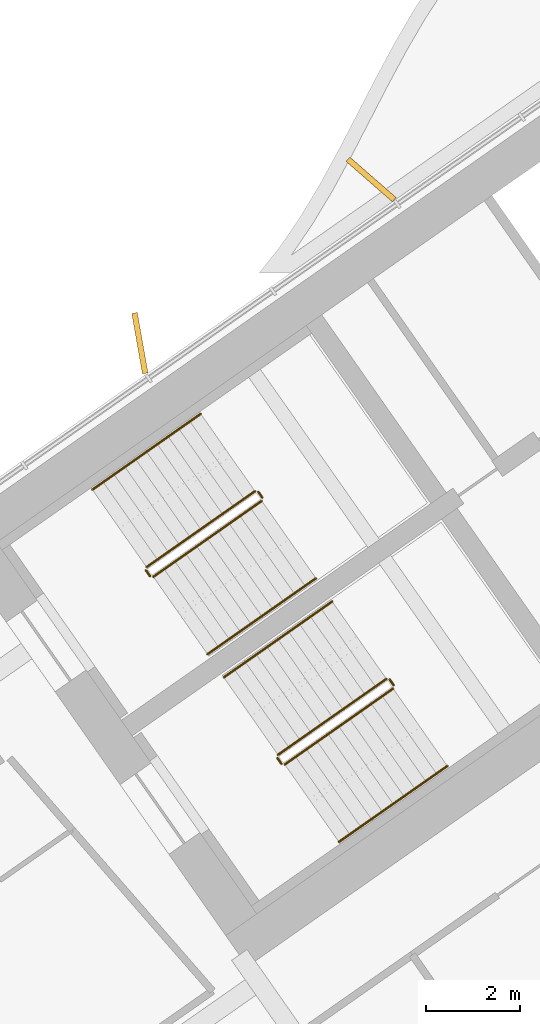
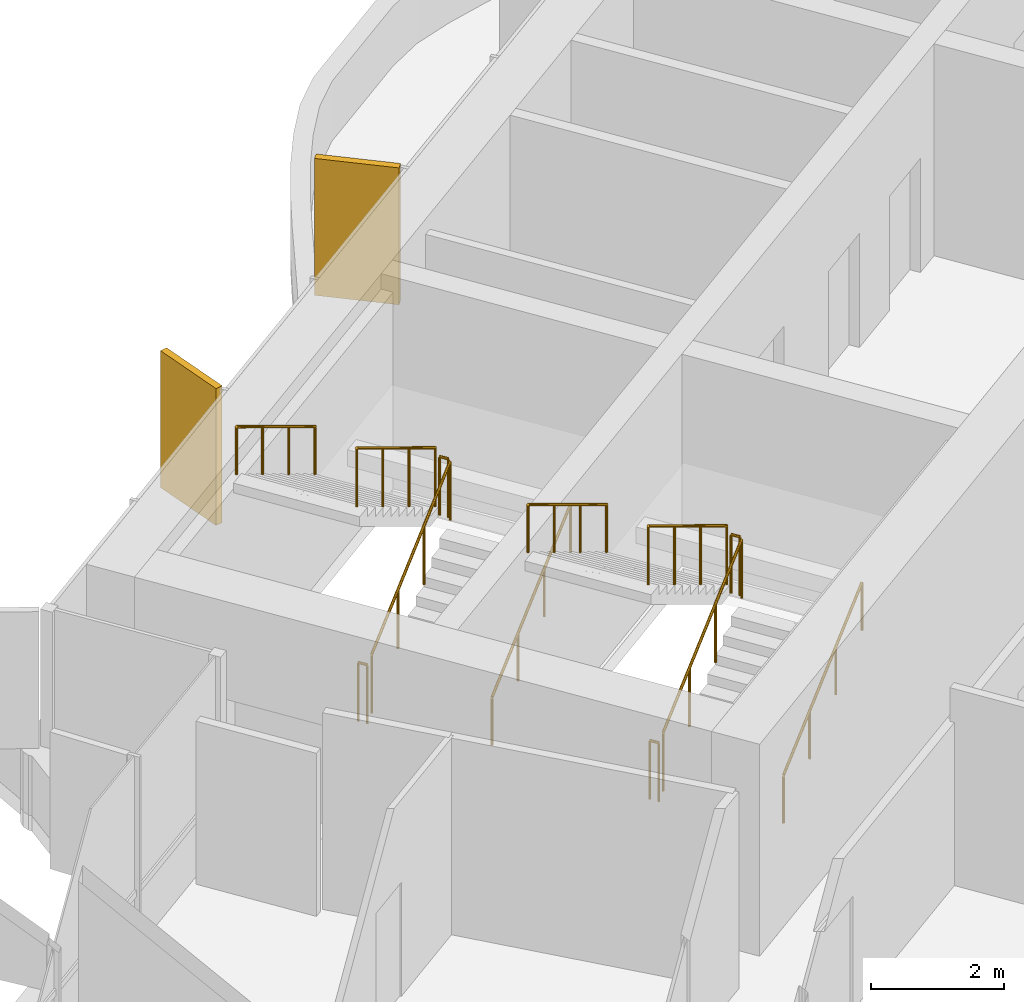
# One storey, part 18 of 21: 12 railings, 2 shading devices.
"""IFC4 building model written with IfcOpenShell, lengths in metres."""

from ifc_helpers import new_model, si_unit, direction, frame, origin, origin_2d, place, context, subcontext, project, spatial, rectangle, circle, extrude, material, layer, layer_set, type_object, element, save


model = new_model("IFC4")

# Units and contexts
model_context = context("Model", 3, precision=1e-05, world=origin(), true_north=direction((0.0, 1.0)))
body_context = subcontext(model_context, "Body", "Model", "MODEL_VIEW")
ifc_project = project(units=[si_unit("LENGTHUNIT", "METRE"), si_unit("AREAUNIT", "SQUARE_METRE"), si_unit("VOLUMEUNIT", "CUBIC_METRE"), si_unit("PLANEANGLEUNIT", "RADIAN"), si_unit("MASSUNIT", "GRAM", prefix="KILO")], contexts=[model_context])

# Site, building, storey
site_placement = place(None, origin())
site = spatial("IfcSite", under=ifc_project, at=site_placement, CompositionType="ELEMENT")
building_placement = place(site_placement, origin())
building = spatial("IfcBuilding", under=site, at=building_placement, Name="Tel Ilan Convention Tower", CompositionType="ELEMENT")
storey_placement = place(building_placement, frame((0.0, 0.0, 206.10009765625)))
storey = spatial("IfcBuildingStorey", under=building, at=storey_placement, Name="L48", CompositionType="ELEMENT", Elevation=206.10009765625)

# Shading devices
ifc_material_1 = material(Name="Aluminium, bronze anodised", Category="aluminium")
ifc_layer = layer(ifc_material_1, 0.1201171875)
ifc_layer_set = layer_set([ifc_layer], Name="FIN BRONZE 1300x120")
shading_device_type = type_object("IfcShadingDeviceType", Name="FIN BRONZE 1300x120", PredefinedType="USERDEFINED", material=ifc_layer_set)
for number, where, z_axis, x_axis, name in (
    (1, (-18.926025390625, 0.353271484375, 1.099853515625), (0.0, 0.0, 1.0), (-0.753435896329, 0.657521368568, 0.0), "FIN"),
    (2, (-23.82080078125, -3.11181640625, 1.099853515625), (0.0, 0.0, 1.0), (-0.173648177667, 0.984807753012, 0.0), "FIN"),
):
    element("IfcShadingDevice", number, at=place(storey_placement, frame(where, z_axis=z_axis, x_axis=x_axis)), inside=storey, type_object=shading_device_type, Name=name, ObjectType="FIN", PredefinedType="USERDEFINED", context=body_context, shape_type="SweptSolid", body=[
        extrude(rectangle(XDim=1.300048828125, YDim=0.1201171875, at=origin_2d()), origin(), (0.0, 0.0, 1.0), 2.52001953125),
    ])

# Railings
ifc_material_2 = material(Name="Stainless Steel Grade 316", Category="steel")
railing_type_1 = type_object("IfcRailingType", Name="Stainless Steel Stair Guard 1100 mm", PredefinedType="GUARDRAIL", material=ifc_material_2)
railing_1_placement = place(storey_placement, frame((-23.535400390625, -8.056396484375, 0.17724609375)))
element("IfcRailing", 3, at=railing_1_placement, inside=storey, type_object=railing_type_1, Name="L48 S1 stair guard 1", PredefinedType="GUARDRAIL", context=body_context, shape_type="SweptSolid", body=[
    extrude(circle(Radius=0.02392578125, at=origin_2d()), frame((0.0, 0.0, 1.076171875), z_axis=(0.692098378994, 0.484653031975, 0.534893701956), x_axis=(-0.573608623498, 0.819129505664, 0.0)), (0.0, 0.0, 1.0), 3.314208984375),
    extrude(circle(Radius=0.02099609375, at=origin_2d()), origin(), (0.0, 0.0, 1.0), 1.052001953125),
    extrude(circle(Radius=0.02099609375, at=origin_2d()), frame((0.7646484375, 0.535400390625, 0.5908203125)), (0.0, 0.0, 1.0), 1.052001953125),
    extrude(circle(Radius=0.02099609375, at=origin_2d()), frame((1.529052734375, 1.07080078125, 1.181884765625)), (0.0, 0.0, 1.0), 1.052001953125),
    extrude(circle(Radius=0.02099609375, at=origin_2d()), frame((2.293701171875, 1.606201171875, 1.772705078125)), (0.0, 0.0, 1.0), 1.052001953125),
])
railing_2_placement = place(storey_placement, frame((-21.2294921875, -6.380615234375, 1.949951171875)))
element("IfcRailing", 4, at=railing_2_placement, inside=storey, type_object=railing_type_1, Name="L48 S1 stair guard 2", PredefinedType="GUARDRAIL", context=body_context, shape_type="SweptSolid", body=[
    extrude(circle(Radius=0.02392578125, at=origin_2d()), frame((0.0, 0.0, 1.076171875), z_axis=(-0.573353020881, 0.819308436089, 0.0), x_axis=(-0.819308436089, -0.573353020881, 0.0)), (0.0, 0.0, 1.0), 0.14990234375),
    extrude(circle(Radius=0.02099609375, at=origin_2d()), origin(), (0.0, 0.0, 1.0), 1.052001953125),
    extrude(circle(Radius=0.02099609375, at=origin_2d()), frame((-0.0859375, 0.122802734375, 0.0)), (0.0, 0.0, 1.0), 1.052001953125),
])
railing_3_placement = place(storey_placement, frame((-21.38525390625, -6.24560546875, 2.127197265625)))
element("IfcRailing", 5, at=railing_3_placement, inside=storey, type_object=railing_type_1, Name="L48 S1 stair guard 3", PredefinedType="GUARDRAIL", context=body_context, shape_type="SweptSolid", body=[
    extrude(circle(Radius=0.02392578125, at=origin_2d()), frame((0.0, 0.0, 1.076171875), z_axis=(-0.692084706163, -0.484621375041, 0.534940073605), x_axis=(0.573591086599, -0.819141785879, 0.0)), (0.0, 0.0, 1.0), 3.313720703125),
    extrude(circle(Radius=0.02099609375, at=origin_2d()), origin(), (0.0, 0.0, 1.0), 1.052001953125),
    extrude(circle(Radius=0.02099609375, at=origin_2d()), frame((-0.764404296875, -0.535400390625, 0.5908203125)), (0.0, 0.0, 1.0), 1.052001953125),
    extrude(circle(Radius=0.02099609375, at=origin_2d()), frame((-1.529052734375, -1.070556640625, 1.181884765625)), (0.0, 0.0, 1.0), 1.052001953125),
    extrude(circle(Radius=0.02099609375, at=origin_2d()), frame((-2.29345703125, -1.60595703125, 1.772705078125)), (0.0, 0.0, 1.0), 1.052001953125),
])
railing_4_placement = place(storey_placement, frame((-23.60498046875, -8.0439453125, 0.0)))
element("IfcRailing", 6, at=railing_4_placement, inside=storey, type_object=railing_type_1, Name="L48 S1 stair guard 4", PredefinedType="GUARDRAIL", context=body_context, shape_type="SweptSolid", body=[
    extrude(circle(Radius=0.02392578125, at=origin_2d()), frame((0.0, 0.0, 1.076171875), z_axis=(-0.574444878118, 0.818543268254, 0.0), x_axis=(-0.818543268254, -0.574444878118, 0.0)), (0.0, 0.0, 1.0), 0.150146484375),
    extrude(circle(Radius=0.02099609375, at=origin_2d()), origin(), (0.0, 0.0, 1.0), 1.052001953125),
    extrude(circle(Radius=0.02099609375, at=origin_2d()), frame((-0.086181640625, 0.122802734375, 0.0)), (0.0, 0.0, 1.0), 1.052001953125),
])
railing_5_placement = place(storey_placement, frame((-20.753662109375, -12.029296875, 0.17724609375)))
element("IfcRailing", 7, at=railing_5_placement, inside=storey, type_object=railing_type_1, Name="L48 S2 stair guard 1", PredefinedType="GUARDRAIL", context=body_context, shape_type="SweptSolid", body=[
    extrude(circle(Radius=0.02392578125, at=origin_2d()), frame((0.0, 0.0, 1.076171875), z_axis=(0.692098378994, 0.484653031975, 0.534893701956), x_axis=(-0.573608623498, 0.819129505664, 0.0)), (0.0, 0.0, 1.0), 3.314208984375),
    extrude(circle(Radius=0.02099609375, at=origin_2d()), origin(), (0.0, 0.0, 1.0), 1.052001953125),
    extrude(circle(Radius=0.02099609375, at=origin_2d()), frame((0.7646484375, 0.535400390625, 0.5908203125)), (0.0, 0.0, 1.0), 1.052001953125),
    extrude(circle(Radius=0.02099609375, at=origin_2d()), frame((1.529052734375, 1.07080078125, 1.181884765625)), (0.0, 0.0, 1.0), 1.052001953125),
    extrude(circle(Radius=0.02099609375, at=origin_2d()), frame((2.293701171875, 1.606201171875, 1.772705078125)), (0.0, 0.0, 1.0), 1.052001953125),
])
railing_6_placement = place(storey_placement, frame((-18.44775390625, -10.353515625, 1.949951171875)))
element("IfcRailing", 8, at=railing_6_placement, inside=storey, type_object=railing_type_1, Name="L48 S2 stair guard 2", PredefinedType="GUARDRAIL", context=body_context, shape_type="SweptSolid", body=[
    extrude(circle(Radius=0.02392578125, at=origin_2d()), frame((0.0, 0.0, 1.076171875), z_axis=(-0.573353020881, 0.819308436089, 0.0), x_axis=(-0.819308436089, -0.573353020881, 0.0)), (0.0, 0.0, 1.0), 0.14990234375),
    extrude(circle(Radius=0.02099609375, at=origin_2d()), origin(), (0.0, 0.0, 1.0), 1.052001953125),
    extrude(circle(Radius=0.02099609375, at=origin_2d()), frame((-0.0859375, 0.122802734375, 0.0)), (0.0, 0.0, 1.0), 1.052001953125),
])
railing_7_placement = place(storey_placement, frame((-18.603271484375, -10.218505859375, 2.127197265625)))
element("IfcRailing", 9, at=railing_7_placement, inside=storey, type_object=railing_type_1, Name="L48 S2 stair guard 3", PredefinedType="GUARDRAIL", context=body_context, shape_type="SweptSolid", body=[
    extrude(circle(Radius=0.02392578125, at=origin_2d()), frame((0.0, 0.0, 1.076171875), z_axis=(-0.692123088272, -0.484596665743, 0.534912798717), x_axis=(0.573550118428, -0.819170471667, 0.0)), (0.0, 0.0, 1.0), 3.31396484375),
    extrude(circle(Radius=0.02099609375, at=origin_2d()), origin(), (0.0, 0.0, 1.0), 1.052001953125),
    extrude(circle(Radius=0.02099609375, at=origin_2d()), frame((-0.7646484375, -0.535400390625, 0.5908203125)), (0.0, 0.0, 1.0), 1.052001953125),
    extrude(circle(Radius=0.02099609375, at=origin_2d()), frame((-1.529052734375, -1.070556640625, 1.181884765625)), (0.0, 0.0, 1.0), 1.052001953125),
    extrude(circle(Radius=0.02099609375, at=origin_2d()), frame((-2.293701171875, -1.60595703125, 1.772705078125)), (0.0, 0.0, 1.0), 1.052001953125),
])
railing_8_placement = place(storey_placement, frame((-20.8232421875, -12.016845703125, 0.0)))
element("IfcRailing", 10, at=railing_8_placement, inside=storey, type_object=railing_type_1, Name="L48 S2 stair guard 4", PredefinedType="GUARDRAIL", context=body_context, shape_type="SweptSolid", body=[
    extrude(circle(Radius=0.02392578125, at=origin_2d()), frame((0.0, 0.0, 1.076171875), z_axis=(-0.573353020881, 0.819308436089, 0.0), x_axis=(-0.819308436089, -0.573353020881, 0.0)), (0.0, 0.0, 1.0), 0.14990234375),
    extrude(circle(Radius=0.02099609375, at=origin_2d()), origin(), (0.0, 0.0, 1.0), 1.052001953125),
    extrude(circle(Radius=0.02099609375, at=origin_2d()), frame((-0.0859375, 0.122802734375, 0.0)), (0.0, 0.0, 1.0), 1.052001953125),
])
ifc_material_3 = material(Name="Stainless Steel Grade 316", Category="steel")
railing_type_2 = type_object("IfcRailingType", Name="Stainless Steel Stair Handrail 900 mm", PredefinedType="HANDRAIL", material=ifc_material_3)
railing_9_placement = place(storey_placement, frame((-22.38818359375, -9.694580078125, 0.17724609375)))
element("IfcRailing", 11, at=railing_9_placement, inside=storey, type_object=railing_type_2, Name="L48 S1 stair handrail 1", PredefinedType="HANDRAIL", context=body_context, shape_type="SweptSolid", body=[
    extrude(circle(Radius=0.02392578125, at=origin_2d()), frame((0.0, 0.0, 0.8759765625), z_axis=(0.692084706163, 0.484621375041, 0.534940073605), x_axis=(-0.573591086599, 0.819141785879, 0.0)), (0.0, 0.0, 1.0), 3.313720703125),
    extrude(circle(Radius=0.02099609375, at=origin_2d()), origin(), (0.0, 0.0, 1.0), 0.851806640625),
    extrude(circle(Radius=0.02099609375, at=origin_2d()), frame((0.764404296875, 0.535400390625, 0.5908203125)), (0.0, 0.0, 1.0), 0.851806640625),
    extrude(circle(Radius=0.02099609375, at=origin_2d()), frame((1.529052734375, 1.070556640625, 1.181884765625)), (0.0, 0.0, 1.0), 0.851806640625),
    extrude(circle(Radius=0.02099609375, at=origin_2d()), frame((2.29345703125, 1.60595703125, 1.772705078125)), (0.0, 0.0, 1.0), 0.851806640625),
])
railing_10_placement = place(storey_placement, frame((-22.5322265625, -4.607177734375, 2.127197265625)))
element("IfcRailing", 12, at=railing_10_placement, inside=storey, type_object=railing_type_2, Name="L48 S1 stair handrail 2", PredefinedType="HANDRAIL", context=body_context, shape_type="SweptSolid", body=[
    extrude(circle(Radius=0.02392578125, at=origin_2d()), frame((0.0, 0.0, 0.8759765625), z_axis=(-0.692123088272, -0.484596665743, 0.534912798717), x_axis=(0.573550118428, -0.819170471667, 0.0)), (0.0, 0.0, 1.0), 3.31396484375),
    extrude(circle(Radius=0.02099609375, at=origin_2d()), origin(), (0.0, 0.0, 1.0), 0.851806640625),
    extrude(circle(Radius=0.02099609375, at=origin_2d()), frame((-0.7646484375, -0.535400390625, 0.5908203125)), (0.0, 0.0, 1.0), 0.851806640625),
    extrude(circle(Radius=0.02099609375, at=origin_2d()), frame((-1.529052734375, -1.070556640625, 1.181884765625)), (0.0, 0.0, 1.0), 0.851806640625),
    extrude(circle(Radius=0.02099609375, at=origin_2d()), frame((-2.293701171875, -1.60595703125, 1.772705078125)), (0.0, 0.0, 1.0), 0.851806640625),
])
railing_11_placement = place(storey_placement, frame((-19.6064453125, -13.66748046875, 0.17724609375)))
element("IfcRailing", 13, at=railing_11_placement, inside=storey, type_object=railing_type_2, Name="L48 S2 stair handrail 1", PredefinedType="HANDRAIL", context=body_context, shape_type="SweptSolid", body=[
    extrude(circle(Radius=0.02392578125, at=origin_2d()), frame((0.0, 0.0, 0.8759765625), z_axis=(0.692123088272, 0.484596665743, 0.534912798717), x_axis=(-0.573550118428, 0.819170471667, 0.0)), (0.0, 0.0, 1.0), 3.31396484375),
    extrude(circle(Radius=0.02099609375, at=origin_2d()), origin(), (0.0, 0.0, 1.0), 0.851806640625),
    extrude(circle(Radius=0.02099609375, at=origin_2d()), frame((0.7646484375, 0.535400390625, 0.5908203125)), (0.0, 0.0, 1.0), 0.851806640625),
    extrude(circle(Radius=0.02099609375, at=origin_2d()), frame((1.529052734375, 1.070556640625, 1.181884765625)), (0.0, 0.0, 1.0), 0.851806640625),
    extrude(circle(Radius=0.02099609375, at=origin_2d()), frame((2.293701171875, 1.60595703125, 1.772705078125)), (0.0, 0.0, 1.0), 0.851806640625),
])
railing_12_placement = place(storey_placement, frame((-19.75048828125, -8.580078125, 2.127197265625)))
element("IfcRailing", 14, at=railing_12_placement, inside=storey, type_object=railing_type_2, Name="L48 S2 stair handrail 2", PredefinedType="HANDRAIL", context=body_context, shape_type="SweptSolid", body=[
    extrude(circle(Radius=0.02392578125, at=origin_2d()), frame((0.0, 0.0, 0.8759765625), z_axis=(-0.692123088272, -0.484596665743, 0.534912798717), x_axis=(0.573550118428, -0.819170471667, 0.0)), (0.0, 0.0, 1.0), 3.31396484375),
    extrude(circle(Radius=0.02099609375, at=origin_2d()), origin(), (0.0, 0.0, 1.0), 0.851806640625),
    extrude(circle(Radius=0.02099609375, at=origin_2d()), frame((-0.7646484375, -0.535400390625, 0.5908203125)), (0.0, 0.0, 1.0), 0.851806640625),
    extrude(circle(Radius=0.02099609375, at=origin_2d()), frame((-1.529052734375, -1.070556640625, 1.181884765625)), (0.0, 0.0, 1.0), 0.851806640625),
    extrude(circle(Radius=0.02099609375, at=origin_2d()), frame((-2.293701171875, -1.60595703125, 1.772705078125)), (0.0, 0.0, 1.0), 0.851806640625),
])

save(model, "model.ifc")
